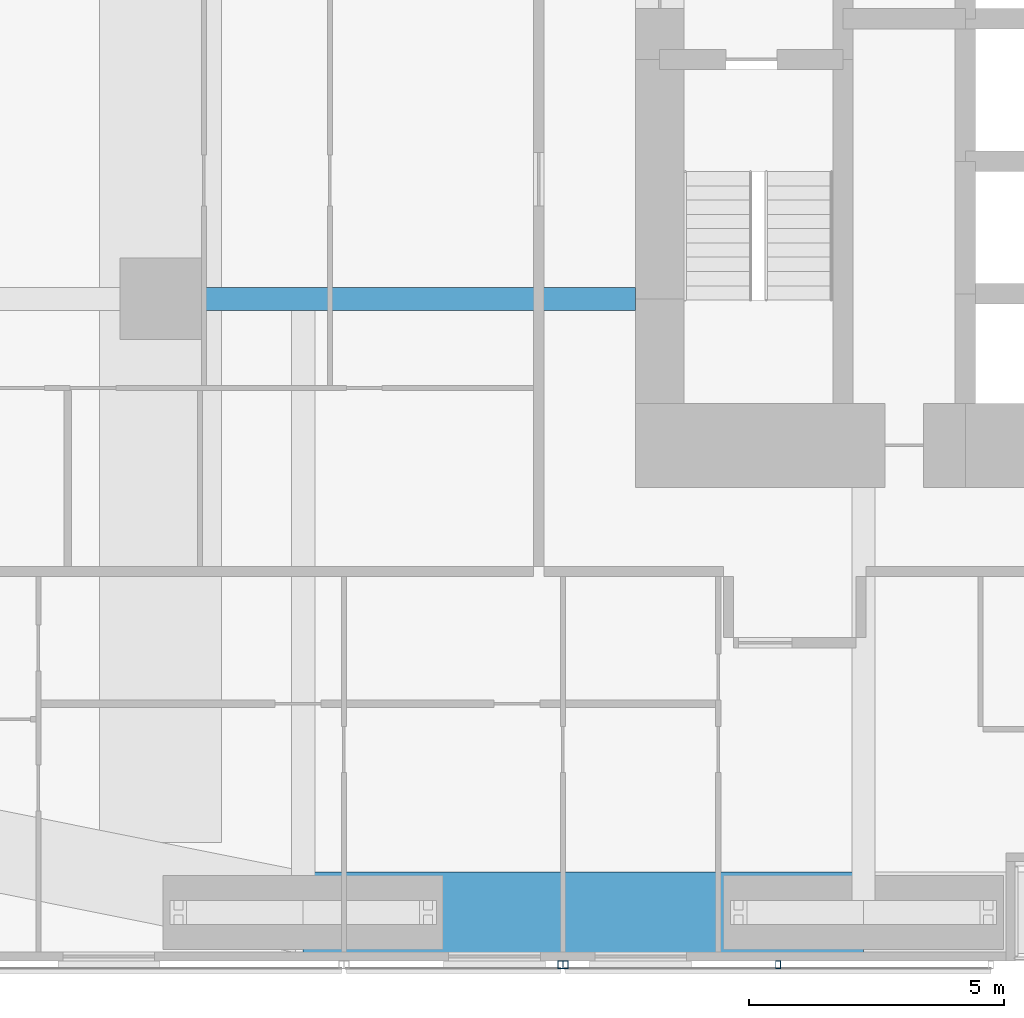
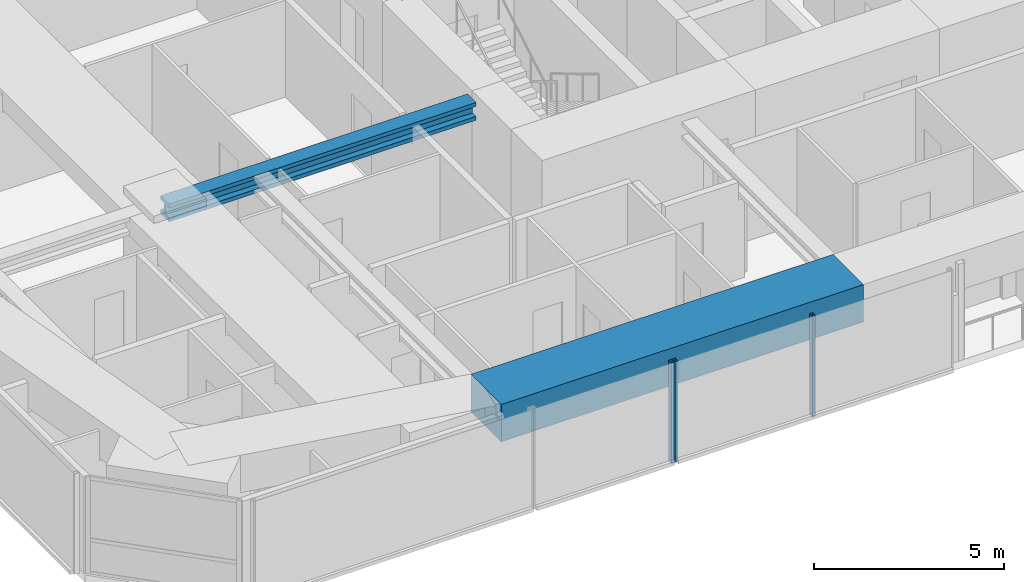
# One storey, part 4 of 24: 3 members, 2 beams, 2 elements without a shape of their own.
"""IFC4 building model written with IfcOpenShell, lengths in metres."""

from ifc_helpers import new_model, si_unit, direction, frame, origin, origin_2d, place, context, subcontext, project, spatial, rectangle, hollow_rectangle, i_section, extrude, material, material_profile, profile_set, type_object, element, aggregate, save


model = new_model("IFC4")

# Units and contexts
model_context = context("Model", 3, precision=1e-05, world=origin(), true_north=direction((0.0, 1.0)))
body_context = subcontext(model_context, "Body", "Model", "MODEL_VIEW")
ifc_project = project(units=[si_unit("LENGTHUNIT", "METRE"), si_unit("AREAUNIT", "SQUARE_METRE"), si_unit("VOLUMEUNIT", "CUBIC_METRE"), si_unit("PLANEANGLEUNIT", "RADIAN"), si_unit("MASSUNIT", "GRAM", prefix="KILO")], contexts=[model_context])

# Site, building, storey
site_placement = place(None, origin())
site = spatial("IfcSite", under=ifc_project, at=site_placement, CompositionType="ELEMENT")
building_placement = place(site_placement, origin())
building = spatial("IfcBuilding", under=site, at=building_placement, Name="Jalousie Tower", CompositionType="ELEMENT")
storey_placement = place(building_placement, frame((0.0, 0.0, 57.85009765625)))
storey = spatial("IfcBuildingStorey", under=building, at=storey_placement, Name="L15", CompositionType="ELEMENT", Elevation=57.85009765625)

# Beams
ifc_material_1 = material(Name="Steel ASTM A992 Grade 50", Category="steel")
ifc_material_profile_1 = material_profile(ifc_material_1, i_section(OverallWidth=0.45458984375, OverallDepth=0.569091796875, WebThickness=0.077880859375, FlangeThickness=0.124755859375, at=origin_2d()), Name="W14X730")
ifc_profile_set_1 = profile_set([ifc_material_profile_1], Name="Steel ASTM A992 Grade 50")
beam_type_1 = type_object("IfcBeamType", Name="LEAN COLLECTOR W14X730", PredefinedType="BEAM", material=ifc_profile_set_1)
beam_1_placement = place(storey_placement, frame((10.199951171875, 13.0, 2.825439453125), z_axis=(1.0, 0.0, 0.0), x_axis=(0.0, 1.0, 0.0)))
element("IfcBeam", 1, at=beam_1_placement, inside=storey, type_object=beam_type_1, Name="Lean collector under L16", PredefinedType="BEAM", context=body_context, shape_type="SweptSolid", body=[
    extrude(i_section(OverallWidth=0.45458984375, OverallDepth=0.569091796875, WebThickness=0.077880859375, FlangeThickness=0.124755859375, at=origin_2d()), origin(), (0.0, 0.0, 1.0), 9.324951171875),
])
ifc_material_2 = material(Name="Concrete f'c 40 MPa", Category="concrete")
ifc_material_profile_2 = material_profile(ifc_material_2, rectangle(XDim=1.60009765625, YDim=1.199951171875, at=origin_2d()), Name="RC 1600x1200")
ifc_profile_set_2 = profile_set([ifc_material_profile_2], Name="Concrete f'c 40 MPa")
beam_type_2 = type_object("IfcBeamType", Name="RC BEAM 1600x1200", PredefinedType="BEAM", material=ifc_profile_set_2)
beam_2_placement = place(storey_placement, frame((13.0, 0.949951171875, 2.75), z_axis=(1.0, 0.0, 0.0), x_axis=(0.0, 1.0, 0.0)))
element("IfcBeam", 2, at=beam_2_placement, inside=storey, type_object=beam_type_2, Name="Edge band beam 02-03 under L16", PredefinedType="BEAM", context=body_context, shape_type="SweptSolid", body=[
    extrude(rectangle(XDim=1.60009765625, YDim=1.199951171875, at=origin_2d()), origin(), (0.0, 0.0, 1.0), 11.0),
])

# Curtain wall, member
ifc_material_3 = material(Name="Perforated aluminium sheet", Category="aluminium")
curtain_wall_type = type_object("IfcCurtainWallType", Name="SOLAR SCREEN SS-1", PredefinedType="USERDEFINED", material=ifc_material_3)
curtain_wall_1_placement = place(storey_placement, origin())
curtain_wall_1 = element("IfcCurtainWall", 3, at=curtain_wall_1_placement, inside=storey, type_object=curtain_wall_type, Name="Solar screen L15", ObjectType="SOLAR SCREEN SS-1", PredefinedType="USERDEFINED")
ifc_material_4 = material(Name="Steel ASTM A500 Grade C", Category="steel")
ifc_material_profile_3 = material_profile(ifc_material_4, hollow_rectangle(XDim=0.1015625, YDim=0.15234375, WallThickness=0.00634765625, at=origin_2d()), Name="HSS6X4X1/4")
ifc_profile_set_3 = profile_set([ifc_material_profile_3], Name="Steel ASTM A500 Grade C")
member_type = type_object("IfcMemberType", Name="SOLAR SCREEN SS-1 MULLION", PredefinedType="MULLION", material=ifc_profile_set_3)
member_1_placement = place(storey_placement, frame((18.050048828125, -0.0712890625, -0.1201171875), z_axis=(0.0, 0.0, 1.0), x_axis=(1.0, 0.0, 0.0)))
member_1 = element("IfcMember", 4, at=member_1_placement, type_object=member_type, Name="SS1 post 2", PredefinedType="MULLION", context=body_context, shape_type="SweptSolid", body=[
    extrude(hollow_rectangle(XDim=0.1015625, YDim=0.15234375, WallThickness=0.00634765625, at=origin_2d()), origin(), (0.0, 0.0, 1.0), 3.22998046875),
])
aggregate(curtain_wall_1, [member_1])

# Curtain wall, members
curtain_wall_2_placement = place(storey_placement, origin())
curtain_wall_2 = element("IfcCurtainWall", 5, at=curtain_wall_2_placement, inside=storey, type_object=curtain_wall_type, Name="Solar screen L15", ObjectType="SOLAR SCREEN SS-1", PredefinedType="USERDEFINED")
member_2_placement = place(storey_placement, frame((18.14990234375, -0.0712890625, -0.1201171875), z_axis=(0.0, 0.0, 1.0), x_axis=(1.0, 0.0, 0.0)))
member_2 = element("IfcMember", 6, at=member_2_placement, type_object=member_type, Name="SS1 post 1", PredefinedType="MULLION", context=body_context, shape_type="SweptSolid", body=[
    extrude(hollow_rectangle(XDim=0.1015625, YDim=0.15234375, WallThickness=0.00634765625, at=origin_2d()), origin(), (0.0, 0.0, 1.0), 3.22998046875),
])
member_3_placement = place(storey_placement, frame((22.324951171875, -0.0712890625, -0.1201171875), z_axis=(0.0, 0.0, 1.0), x_axis=(1.0, 0.0, 0.0)))
member_3 = element("IfcMember", 7, at=member_3_placement, type_object=member_type, Name="SS1 post 2", PredefinedType="MULLION", context=body_context, shape_type="SweptSolid", body=[
    extrude(hollow_rectangle(XDim=0.1015625, YDim=0.15234375, WallThickness=0.00634765625, at=origin_2d()), origin(), (0.0, 0.0, 1.0), 3.22998046875),
])
aggregate(curtain_wall_2, [member_2, member_3])

save(model, "model.ifc")
